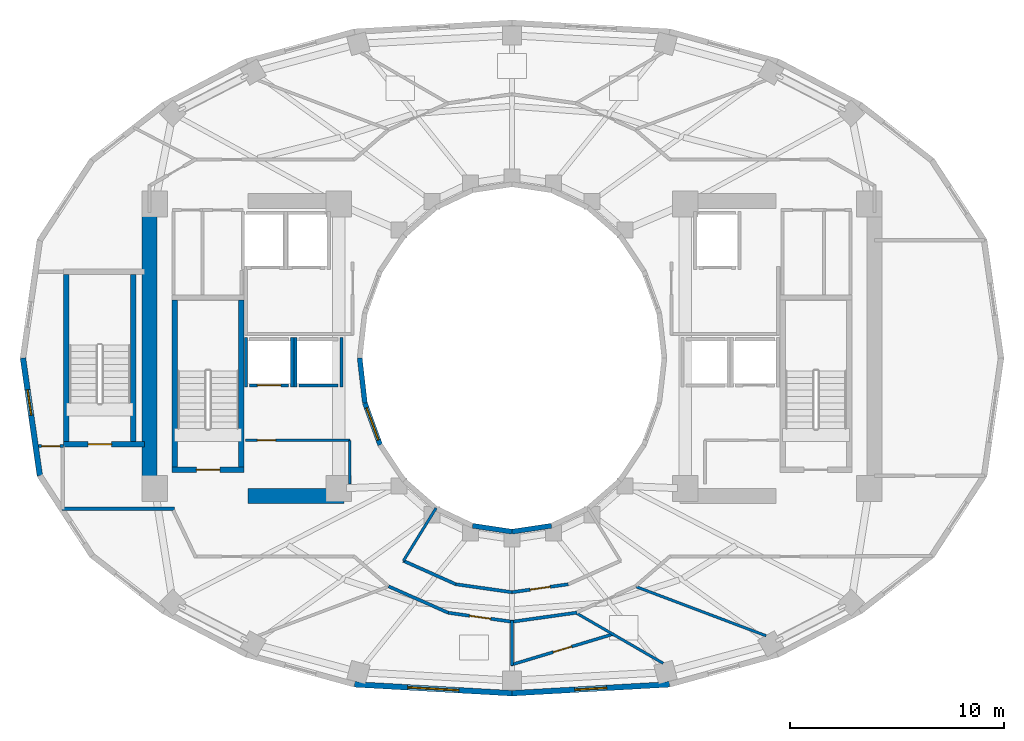
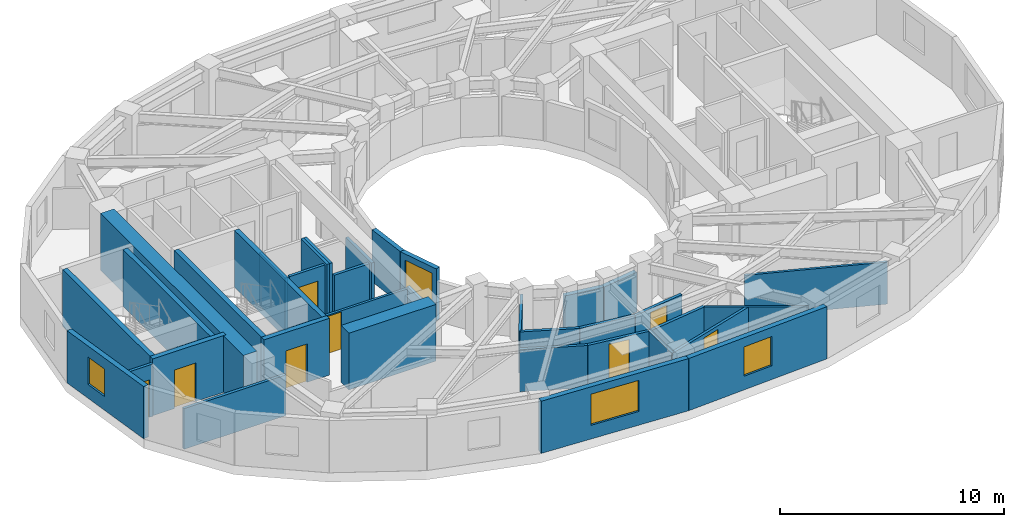
# One storey, part 3 of 9: 36 walls, 8 doors, 4 windows, 12 openings.
"""IFC4 building model written with IfcOpenShell, lengths in metres."""

from ifc_helpers import new_model, si_unit, direction, frame, frame_2d, origin, place, context, subcontext, project, spatial, rectangle, extrude, material, layer, layer_set, type_object, element, fill, save


model = new_model("IFC4")

# Units and contexts
model_context = context("Model", 3, precision=1e-05, world=origin(), true_north=direction((0.0, 1.0)))
body_context = subcontext(model_context, "Body", "Model", "MODEL_VIEW")
ifc_project = project(units=[si_unit("LENGTHUNIT", "METRE"), si_unit("AREAUNIT", "SQUARE_METRE"), si_unit("VOLUMEUNIT", "CUBIC_METRE"), si_unit("PLANEANGLEUNIT", "RADIAN"), si_unit("MASSUNIT", "GRAM", prefix="KILO")], contexts=[model_context])

# Site, building, storey
site_placement = place(None, origin())
site = spatial("IfcSite", under=ifc_project, at=site_placement, CompositionType="ELEMENT")
building_placement = place(site_placement, origin())
building = spatial("IfcBuilding", under=site, at=building_placement, Name="Solvane Sanctuary Tower", CompositionType="ELEMENT")
storey_placement = place(building_placement, frame((0.0, 0.0, 162.199951171875)))
storey = spatial("IfcBuildingStorey", under=building, at=storey_placement, Name="L49", CompositionType="ELEMENT", Elevation=162.199951171875)

# Walls
ifc_material_1 = material(Name="Concrete C60/75", Category="concrete")
ifc_layer_1 = layer(ifc_material_1, 0.699951171875, Name="Concrete C60/75")
ifc_layer_set_1 = layer_set([ifc_layer_1], Name="Concrete C60/75")
wall_type_1 = type_object("IfcWallType", Name="Wall W-CORE-700", PredefinedType="SHEAR", material=ifc_layer_set_1)
wall_1_placement = place(storey_placement, frame((15.050048828125, 17.050048828125, 0.0), z_axis=(0.0, 0.0, 1.0), x_axis=(0.0, 1.0, 0.0)))
element("IfcWall", 1, at=wall_1_placement, inside=storey, type_object=wall_type_1, Name="L49 Core Shear Wall WC-W", PredefinedType="SHEAR", context=body_context, shape_type="SweptSolid", body=[
    extrude(rectangle(XDim=12.800048828125, YDim=0.699951171875, at=frame_2d((6.39990234375, 0.0))), origin(), (0.0, 0.0, 1.0), 3.10009765625),
])
wall_2_placement = place(storey_placement, frame((19.64990234375, 16.550048828125, 0.0), z_axis=(0.0, 0.0, 1.0), x_axis=(1.0, 0.0, 0.0)))
element("IfcWall", 2, at=wall_2_placement, inside=storey, type_object=wall_type_1, Name="L49 Core Shear Wall WC-S", PredefinedType="SHEAR", context=body_context, shape_type="SweptSolid", body=[
    extrude(rectangle(XDim=4.5, YDim=0.699951171875, at=frame_2d((2.25, 0.0))), origin(), (0.0, 0.0, 1.0), 3.10009765625),
])

# Wall, opening, door
ifc_material_2 = material(Name="Acoustic Gypsum Partition Board")
ifc_layer_2 = layer(ifc_material_2, 0.14990234375, Name="Acoustic Gypsum Partition Board")
ifc_layer_set_2 = layer_set([ifc_layer_2], Name="Acoustic Gypsum Partition Board")
wall_type_2 = type_object("IfcWallType", Name="Wall W-CORR-150", PredefinedType="PARTITIONING", material=ifc_layer_set_2)
wall_3_placement = place(storey_placement, frame((9.869873046875, 18.8798828125, 0.0), z_axis=(0.0, 0.0, 1.0), x_axis=(1.0, 0.0, 0.0)))
wall_3 = element("IfcWall", 3, at=wall_3_placement, inside=storey, type_object=wall_type_2, Name="L49 SW Corner Closer 1", PredefinedType="PARTITIONING", context=body_context, shape_type="SweptSolid", body=[
    extrude(rectangle(XDim=1.170166015625, YDim=0.14990234375, at=frame_2d((0.5849609375, 0.0))), origin(), (0.0, 0.0, 1.0), 2.85498046875),
])
opening_1_placement = place(wall_3_placement, frame((0.139892578125, 0.0, 0.0)))
opening_1 = element("IfcOpeningElement", 4, at=opening_1_placement, cuts=wall_3, Name="Opening D-L49-16", PredefinedType="OPENING", context=body_context, shape_type="SweptSolid", body=[
    extrude(rectangle(XDim=0.85009765625, YDim=2.050048828125, at=frame_2d((0.425048828125, 1.02490234375))), frame((0.0, 0.0849609375, 0.0), z_axis=(0.0, -1.0, 0.0), x_axis=(1.0, 0.0, 0.0)), (0.0, 0.0, 1.0), 0.169921875),
])
ifc_material_3 = material(Name="Architectural Stainless Steel 316", Category="steel")
door_type_1 = type_object("IfcDoorType", Name="Door D-RISER", OperationType="NOTDEFINED", PredefinedType="DOOR", material=ifc_material_3)
door_1_placement = place(opening_1_placement, origin())
door_1 = element("IfcDoor", 5, at=door_1_placement, inside=storey, type_object=door_type_1, Name="L49 West Lookout Study Door", OperationType="SINGLE_SWING_LEFT", OverallHeight=2.050048828125, OverallWidth=0.85009765625, PredefinedType="DOOR", context=body_context, shape_type="SweptSolid", body=[
    extrude(rectangle(XDim=0.85009765625, YDim=2.050048828125, at=frame_2d((0.425048828125, 1.02490234375))), frame((0.0, 0.02490234375, 0.0), z_axis=(0.0, -1.0, 0.0), x_axis=(1.0, 0.0, 0.0)), (0.0, 0.0, 1.0), 0.050048828125),
])
fill(opening_1, door_1)

# Walls
wall_4_placement = place(storey_placement, frame((10.9599609375, 15.949951171875, 0.0), z_axis=(0.0, 0.0, 1.0), x_axis=(1.0, 0.0, 0.0)))
element("IfcWall", 6, at=wall_4_placement, inside=storey, type_object=wall_type_2, Name="L49 SW Corner Closer 3", PredefinedType="PARTITIONING", context=body_context, shape_type="SweptSolid", body=[
    extrude(rectangle(XDim=5.260009765625, YDim=0.14990234375, at=frame_2d((2.6298828125, 0.0))), origin(), (0.0, 0.0, 1.0), 2.219970703125),
])
wall_5_placement = place(storey_placement, frame((26.9189453125, 13.520751953125, 0.0), z_axis=(0.0, 0.0, 1.0), x_axis=(0.912888568324, -0.408208845842, 0.0)))
element("IfcWall", 7, at=wall_5_placement, inside=storey, type_object=wall_type_2, Name="L49 Inner Light-Well Corridor Wall S1", PredefinedType="PARTITIONING", context=body_context, shape_type="SweptSolid", body=[
    extrude(rectangle(XDim=2.690185546875, YDim=0.14990234375, at=frame_2d((1.34521484375, 0.0))), origin(), (0.0, 0.0, 1.0), 2.299072265625),
])
wall_6_placement = place(storey_placement, frame((29.371337890625, 12.423583984375, 0.0), z_axis=(0.0, 0.0, 1.0), x_axis=(0.990066775667, -0.1405979364, 0.0)))
element("IfcWall", 8, at=wall_6_placement, inside=storey, type_object=wall_type_2, Name="L49 Inner Light-Well Corridor Wall S1", PredefinedType="PARTITIONING", context=body_context, shape_type="SweptSolid", body=[
    extrude(rectangle(XDim=2.65673828125, YDim=0.14990234375, at=frame_2d((1.328369140625, 0.0))), origin(), (0.0, 0.0, 1.0), 2.299072265625),
])

# Wall, opening, door
wall_7_placement = place(storey_placement, frame((31.998291015625, 12.050048828125, 0.0), z_axis=(0.0, 0.0, 1.0), x_axis=(0.990066775667, 0.1405979364, 0.0)))
wall_7 = element("IfcWall", 9, at=wall_7_placement, inside=storey, type_object=wall_type_2, Name="L49 Inner Light-Well Corridor Wall S1", PredefinedType="PARTITIONING", context=body_context, shape_type="SweptSolid", body=[
    extrude(rectangle(XDim=2.65673828125, YDim=0.14990234375, at=frame_2d((1.328369140625, 0.0))), origin(), (0.0, 0.0, 1.0), 2.299072265625),
])
opening_2_placement = place(wall_7_placement, frame((0.853515625, 0.0, 0.0)))
opening_2 = element("IfcOpeningElement", 10, at=opening_2_placement, cuts=wall_7, Name="Opening D-L49-19", PredefinedType="OPENING", context=body_context, shape_type="SweptSolid", body=[
    extrude(rectangle(XDim=0.949951171875, YDim=2.10009765625, at=frame_2d((0.47509765625, 1.050048828125))), frame((0.0, 0.0849609375, 0.0), z_axis=(0.0, -1.0, 0.0), x_axis=(1.0, 0.0, 0.0)), (0.0, 0.0, 1.0), 0.169921875),
])
ifc_material_4 = material(Name="Engineered Tropical Hardwood", Category="wood")
door_type_2 = type_object("IfcDoorType", Name="Door D-ROOM-950", OperationType="NOTDEFINED", PredefinedType="DOOR", material=ifc_material_4)
door_2_placement = place(opening_2_placement, origin())
door_2 = element("IfcDoor", 11, at=door_2_placement, inside=storey, type_object=door_type_2, Name="L49 Inner Light-Well Salon Door S1", OperationType="SINGLE_SWING_RIGHT", OverallHeight=2.10009765625, OverallWidth=0.949951171875, PredefinedType="DOOR", context=body_context, shape_type="SweptSolid", body=[
    extrude(rectangle(XDim=0.949951171875, YDim=2.10009765625, at=frame_2d((0.47509765625, 1.050048828125))), frame((0.0, 0.02490234375, 0.0), z_axis=(0.0, -1.0, 0.0), x_axis=(1.0, 0.0, 0.0)), (0.0, 0.0, 1.0), 0.050048828125),
])
fill(opening_2, door_2)

# Walls
wall_8_placement = place(storey_placement, frame((31.950439453125, 10.6630859375, 0.0), z_axis=(0.0, 0.0, 1.0), x_axis=(0.990234434447, 0.139412211929, 0.0)))
element("IfcWall", 12, at=wall_8_placement, inside=storey, type_object=wall_type_2, Name="L49 En-suite Inner Wall S1", PredefinedType="PARTITIONING", context=body_context, shape_type="SweptSolid", body=[
    extrude(rectangle(XDim=3.11376953125, YDim=0.14990234375, at=frame_2d((1.556884765625, 0.0))), origin(), (0.0, 0.0, 1.0), 2.299072265625),
])
wall_9_placement = place(storey_placement, frame((26.22802734375, 12.326171875, 0.0), z_axis=(0.0, 0.0, 1.0), x_axis=(0.914324470734, -0.404982422108, 0.0)))
element("IfcWall", 13, at=wall_9_placement, inside=storey, type_object=wall_type_2, Name="L49 Unit Corridor Wall S1", PredefinedType="PARTITIONING", context=body_context, shape_type="SweptSolid", body=[
    extrude(rectangle(XDim=3.0576171875, YDim=0.14990234375, at=frame_2d((1.52880859375, 0.0))), origin(), (0.0, 0.0, 1.0), 2.299072265625),
])

# Wall, opening, door
wall_10_placement = place(storey_placement, frame((29.008056640625, 11.09228515625, 0.0), z_axis=(0.0, 0.0, 1.0), x_axis=(0.990234341072, -0.139412875167, 0.0)))
wall_10 = element("IfcWall", 14, at=wall_10_placement, inside=storey, type_object=wall_type_2, Name="L49 Unit Corridor Wall S1", PredefinedType="PARTITIONING", context=body_context, shape_type="SweptSolid", body=[
    extrude(rectangle(XDim=3.029541015625, YDim=0.14990234375, at=frame_2d((1.5146484375, 0.0))), origin(), (0.0, 0.0, 1.0), 2.299072265625),
])
opening_3_placement = place(wall_10_placement, frame((1.014892578125, 0.0, 0.0)))
opening_3 = element("IfcOpeningElement", 15, at=opening_3_placement, cuts=wall_10, Name="Opening D-L49-24", PredefinedType="OPENING", context=body_context, shape_type="SweptSolid", body=[
    extrude(rectangle(XDim=1.0, YDim=2.10009765625, at=frame_2d((0.5, 1.050048828125))), frame((0.0, 0.0849609375, 0.0), z_axis=(0.0, -1.0, 0.0), x_axis=(1.0, 0.0, 0.0)), (0.0, 0.0, 1.0), 0.169921875),
])
door_type_3 = type_object("IfcDoorType", Name="Door D-UNIT", OperationType="NOTDEFINED", PredefinedType="DOOR", material=ifc_material_4)
door_3_placement = place(opening_3_placement, origin())
door_3 = element("IfcDoor", 16, at=door_3_placement, inside=storey, type_object=door_type_3, Name="L49 Unit Entrance Door S1", OperationType="SINGLE_SWING_LEFT", OverallHeight=2.10009765625, OverallWidth=1.0, PredefinedType="DOOR", context=body_context, shape_type="SweptSolid", body=[
    extrude(rectangle(XDim=1.0, YDim=2.10009765625, at=frame_2d((0.5, 1.050048828125))), frame((0.0, 0.02490234375, 0.0), z_axis=(0.0, -1.0, 0.0), x_axis=(1.0, 0.0, 0.0)), (0.0, 0.0, 1.0), 0.050048828125),
])
fill(opening_3, door_3)

# Wall, opening, window
ifc_material_5 = material(Name="Precast concrete C40/50", Category="concrete")
ifc_layer_3 = layer(ifc_material_5, 0.260009765625, Name="Precast concrete C40/50")
ifc_layer_set_3 = layer_set([ifc_layer_3], Name="Precast concrete C40/50")
wall_type_3 = type_object("IfcWallType", Name="Wall W-EXT-250", PredefinedType="STANDARD", material=ifc_layer_set_3)
wall_11_placement = place(storey_placement, frame((9.139892578125, 23.0, 0.0), z_axis=(0.0, 0.0, 1.0), x_axis=(0.142227632286, -0.989833976288, 0.0)))
wall_11 = element("IfcWall", 17, at=wall_11_placement, inside=storey, type_object=wall_type_3, Name="L49 Ceramic-Printed Facade Wall 12", PredefinedType="STANDARD", context=body_context, shape_type="SweptSolid", body=[
    extrude(rectangle(XDim=5.552978515625, YDim=0.260009765625, at=frame_2d((2.7763671875, 0.0))), origin(), (0.0, 0.0, 1.0), 2.85009765625),
])
opening_4_placement = place(wall_11_placement, frame((1.506103515625, 0.0, 0.75)))
opening_4 = element("IfcOpeningElement", 18, at=opening_4_placement, cuts=wall_11, Name="Opening WN-OPER-1200", PredefinedType="OPENING", context=body_context, shape_type="SweptSolid", body=[
    extrude(rectangle(XDim=1.199951171875, YDim=1.5, at=frame_2d((0.60009765625, 0.75))), frame((0.0, 0.139892578125, 0.0), z_axis=(0.0, -1.0, 0.0), x_axis=(1.0, 0.0, 0.0)), (0.0, 0.0, 1.0), 0.280029296875),
])
ifc_material_6 = material(Name="Dark Ceramic-Fritted Low-E Glass", Category="glass")
window_type_1 = type_object("IfcWindowType", Name="Window WN-OPER-1200", PartitioningType="SINGLE_PANEL", PredefinedType="WINDOW", material=ifc_material_6)
window_1_placement = place(opening_4_placement, origin())
window_1 = element("IfcWindow", 19, at=window_1_placement, inside=storey, type_object=window_type_1, Name="L49 Operable Facade Window 12", OverallHeight=1.5, OverallWidth=1.199951171875, PartitioningType="SINGLE_PANEL", PredefinedType="WINDOW", context=body_context, shape_type="SweptSolid", body=[
    extrude(rectangle(XDim=1.199951171875, YDim=1.5, at=frame_2d((0.60009765625, 0.75))), frame((0.0, 0.030029296875, 0.0), z_axis=(0.0, -1.0, 0.0), x_axis=(1.0, 0.0, 0.0)), (0.0, 0.0, 1.0), 0.06005859375),
])
fill(opening_4, window_1)

wall_12_placement = place(storey_placement, frame((24.634765625, 7.743408203125, 0.0), z_axis=(0.0, 0.0, 1.0), x_axis=(0.998417906562, -0.056228852534, 0.0)))
wall_12 = element("IfcWall", 20, at=wall_12_placement, inside=storey, type_object=wall_type_3, Name="L49 Ceramic-Printed Facade Wall 17", PredefinedType="STANDARD", context=body_context, shape_type="SweptSolid", body=[
    extrude(rectangle(XDim=7.376953125, YDim=0.260009765625, at=frame_2d((3.6884765625, 0.0))), origin(), (0.0, 0.0, 1.0), 2.85009765625),
])
opening_5_placement = place(wall_12_placement, frame((2.48828125, 0.0, 0.75)))
opening_5 = element("IfcOpeningElement", 21, at=opening_5_placement, cuts=wall_12, Name="Opening WN-RIB-2400", PredefinedType="OPENING", context=body_context, shape_type="SweptSolid", body=[
    extrude(rectangle(XDim=2.39990234375, YDim=1.699951171875, at=frame_2d((1.199951171875, 0.85009765625))), frame((0.0, 0.139892578125, 0.0), z_axis=(0.0, -1.0, 0.0), x_axis=(1.0, 0.0, 0.0)), (0.0, 0.0, 1.0), 0.280029296875),
])
window_type_2 = type_object("IfcWindowType", Name="Window WN-RIB-2400", PartitioningType="SINGLE_PANEL", PredefinedType="WINDOW", material=ifc_material_6)
window_2_placement = place(opening_5_placement, origin())
window_2 = element("IfcWindow", 22, at=window_2_placement, inside=storey, type_object=window_type_2, Name="L49 Operable Facade Window 17", OverallHeight=1.699951171875, OverallWidth=2.39990234375, PartitioningType="SINGLE_PANEL", PredefinedType="WINDOW", context=body_context, shape_type="SweptSolid", body=[
    extrude(rectangle(XDim=2.39990234375, YDim=1.699951171875, at=frame_2d((1.199951171875, 0.85009765625))), frame((0.0, 0.030029296875, 0.0), z_axis=(0.0, -1.0, 0.0), x_axis=(1.0, 0.0, 0.0)), (0.0, 0.0, 1.0), 0.06005859375),
])
fill(opening_5, window_2)

wall_13_placement = place(storey_placement, frame((32.0, 7.32861328125, 0.0), z_axis=(0.0, 0.0, 1.0), x_axis=(0.998417906562, 0.056228852534, 0.0)))
wall_13 = element("IfcWall", 23, at=wall_13_placement, inside=storey, type_object=wall_type_3, Name="L49 Ceramic-Printed Facade Wall 18", PredefinedType="STANDARD", context=body_context, shape_type="SweptSolid", body=[
    extrude(rectangle(XDim=7.376953125, YDim=0.260009765625, at=frame_2d((3.6884765625, 0.0))), origin(), (0.0, 0.0, 1.0), 2.85009765625),
])
opening_6_placement = place(wall_13_placement, frame((2.9384765625, 0.0, 0.75)))
opening_6 = element("IfcOpeningElement", 24, at=opening_6_placement, cuts=wall_13, Name="Opening WN-OPER-1500", PredefinedType="OPENING", context=body_context, shape_type="SweptSolid", body=[
    extrude(rectangle(XDim=1.5, YDim=1.60009765625, at=frame_2d((0.75, 0.800048828125))), frame((0.0, 0.139892578125, 0.0), z_axis=(0.0, -1.0, 0.0), x_axis=(1.0, 0.0, 0.0)), (0.0, 0.0, 1.0), 0.280029296875),
])
window_type_3 = type_object("IfcWindowType", Name="Window WN-OPER-1500", PartitioningType="SINGLE_PANEL", PredefinedType="WINDOW", material=ifc_material_6)
window_3_placement = place(opening_6_placement, origin())
window_3 = element("IfcWindow", 25, at=window_3_placement, inside=storey, type_object=window_type_3, Name="L49 Operable Facade Window 18", OverallHeight=1.60009765625, OverallWidth=1.5, PartitioningType="SINGLE_PANEL", PredefinedType="WINDOW", context=body_context, shape_type="SweptSolid", body=[
    extrude(rectangle(XDim=1.5, YDim=1.60009765625, at=frame_2d((0.75, 0.800048828125))), frame((0.0, 0.030029296875, 0.0), z_axis=(0.0, -1.0, 0.0), x_axis=(1.0, 0.0, 0.0)), (0.0, 0.0, 1.0), 0.06005859375),
])
fill(opening_6, window_3)

# Wall
ifc_layer_4 = layer(ifc_material_5, 0.22998046875, Name="Precast concrete C40/50")
ifc_layer_set_4 = layer_set([ifc_layer_4], Name="Precast concrete C40/50")
wall_type_4 = type_object("IfcWallType", Name="Wall W-EXT-SP220", PredefinedType="STANDARD", material=ifc_layer_set_4)
wall_14_placement = place(storey_placement, frame((24.8798828125, 23.0, 0.0), z_axis=(0.0, 0.0, 1.0), x_axis=(0.114711713601, -0.993398823617, 0.0)))
element("IfcWall", 26, at=wall_14_placement, inside=storey, type_object=wall_type_4, Name="L49 Central Light-Well Wall 12", PredefinedType="STANDARD", context=body_context, shape_type="SweptSolid", body=[
    extrude(rectangle(XDim=2.115478515625, YDim=0.22998046875, at=frame_2d((1.0576171875, 0.0))), origin(), (0.0, 0.0, 1.0), 2.840087890625),
])

# Wall, opening, window
wall_15_placement = place(storey_placement, frame((25.12255859375, 20.8984375, 0.0), z_axis=(0.0, 0.0, 1.0), x_axis=(0.341423187295, -0.93990968033, 0.0)))
wall_15 = element("IfcWall", 27, at=wall_15_placement, inside=storey, type_object=wall_type_4, Name="L49 Central Light-Well Wall 13", PredefinedType="STANDARD", context=body_context, shape_type="SweptSolid", body=[
    extrude(rectangle(XDim=2.083740234375, YDim=0.22998046875, at=frame_2d((1.0419921875, 0.0))), origin(), (0.0, 0.0, 1.0), 2.840087890625),
])
opening_7_placement = place(wall_15_placement, frame((0.24169921875, 0.0, 0.85009765625)))
opening_7 = element("IfcOpeningElement", 28, at=opening_7_placement, cuts=wall_15, Name="Opening WN-WELL-1600", PredefinedType="OPENING", context=body_context, shape_type="SweptSolid", body=[
    extrude(rectangle(XDim=1.60009765625, YDim=1.64990234375, at=frame_2d((0.800048828125, 0.824951171875))), frame((0.0, 0.125, 0.0), z_axis=(0.0, -1.0, 0.0), x_axis=(1.0, 0.0, 0.0)), (0.0, 0.0, 1.0), 0.25),
])
ifc_material_7 = material(Name="Clear Laminated Light-Well Glass", Category="glass")
window_type_4 = type_object("IfcWindowType", Name="Window WN-WELL-1600", PartitioningType="SINGLE_PANEL", PredefinedType="WINDOW", material=ifc_material_7)
window_4_placement = place(opening_7_placement, origin())
window_4 = element("IfcWindow", 29, at=window_4_placement, inside=storey, type_object=window_type_4, Name="L49 Light-Well Daylight Window 13", OverallHeight=1.64990234375, OverallWidth=1.60009765625, PartitioningType="SINGLE_PANEL", PredefinedType="WINDOW", context=body_context, shape_type="SweptSolid", body=[
    extrude(rectangle(XDim=1.60009765625, YDim=1.64990234375, at=frame_2d((0.800048828125, 0.824951171875))), frame((0.0, 0.030029296875, 0.0), z_axis=(0.0, -1.0, 0.0), x_axis=(1.0, 0.0, 0.0)), (0.0, 0.0, 1.0), 0.06005859375),
])
fill(opening_7, window_4)

# Walls
for number, where, z_axis, x_axis, name in (
    (30, (30.1572265625, 15.15673828125, 0.0), (0.0, 0.0, 1.0), (0.988901730308, -0.148571086668, 0.0), "L49 Central Light-Well Wall 17"),
    (31, (32.0, 14.8798828125, 0.0), (0.0, 0.0, 1.0), (0.988901730308, 0.148571086668, 0.0), "L49 Central Light-Well Wall 18"),
):
    element("IfcWall", number, at=place(storey_placement, frame(where, z_axis=z_axis, x_axis=x_axis)), inside=storey, type_object=wall_type_4, Name=name, PredefinedType="STANDARD", context=body_context, shape_type="SweptSolid", body=[
        extrude(rectangle(XDim=1.863525390625, YDim=0.22998046875, at=frame_2d((0.931640625, 0.0))), origin(), (0.0, 0.0, 1.0), 2.16015625),
    ])

# Wall, opening, door
ifc_layer_5 = layer(ifc_material_2, 0.125, Name="Acoustic Gypsum Partition Board")
ifc_layer_set_5 = layer_set([ifc_layer_5], Name="Acoustic Gypsum Partition Board")
wall_type_5 = type_object("IfcWallType", Name="Wall W-PART-125", PredefinedType="PARTITIONING", material=ifc_layer_set_5)
wall_16_placement = place(storey_placement, frame((19.550048828125, 19.159912109375, 0.0), z_axis=(0.0, 0.0, 1.0), x_axis=(1.0, 0.0, 0.0)))
wall_16 = element("IfcWall", 32, at=wall_16_placement, inside=storey, type_object=wall_type_5, Name="L49 Reclaimed Room Partition PLW", PredefinedType="PARTITIONING", context=body_context, shape_type="SweptSolid", body=[
    extrude(rectangle(XDim=4.869873046875, YDim=0.125, at=frame_2d((2.43505859375, 0.0))), origin(), (0.0, 0.0, 1.0), 2.1201171875),
])
opening_8_placement = place(wall_16_placement, frame((0.550048828125, 0.0, 0.0)))
opening_8 = element("IfcOpeningElement", 33, at=opening_8_placement, cuts=wall_16, Name="Opening D-L49-06", PredefinedType="OPENING", context=body_context, shape_type="SweptSolid", body=[
    extrude(rectangle(XDim=0.85009765625, YDim=2.050048828125, at=frame_2d((0.425048828125, 1.02490234375))), frame((0.0, 0.072509765625, 0.0), z_axis=(0.0, -1.0, 0.0), x_axis=(1.0, 0.0, 0.0)), (0.0, 0.0, 1.0), 0.14501953125),
])
door_4_placement = place(opening_8_placement, origin())
door_4 = element("IfcDoor", 34, at=door_4_placement, inside=storey, type_object=door_type_1, Name="L49 Reclaimed Room Door PLW-1", OperationType="SINGLE_SWING_LEFT", OverallHeight=2.050048828125, OverallWidth=0.85009765625, PredefinedType="DOOR", context=body_context, shape_type="SweptSolid", body=[
    extrude(rectangle(XDim=0.85009765625, YDim=2.050048828125, at=frame_2d((0.425048828125, 1.02490234375))), frame((0.0, 0.02490234375, 0.0), z_axis=(0.0, -1.0, 0.0), x_axis=(1.0, 0.0, 0.0)), (0.0, 0.0, 1.0), 0.050048828125),
])
fill(opening_8, door_4)

# Walls
wall_17_placement = place(storey_placement, frame((24.419921875, 17.10009765625, 0.0), z_axis=(0.0, 0.0, 1.0), x_axis=(0.0, 1.0, 0.0)))
element("IfcWall", 35, at=wall_17_placement, inside=storey, type_object=wall_type_5, Name="L49 Reclaimed Room Closer Wall PLW-1", PredefinedType="PARTITIONING", context=body_context, shape_type="SweptSolid", body=[
    extrude(rectangle(XDim=2.039794921875, YDim=0.125, at=frame_2d((1.02001953125, 0.0))), origin(), (0.0, 0.0, 1.0), 2.23193359375),
])
wall_18_placement = place(storey_placement, frame((28.449951171875, 15.985107421875, 0.0), z_axis=(0.0, 0.0, 1.0), x_axis=(-0.525627246902, -0.850714991824, 0.0)))
element("IfcWall", 36, at=wall_18_placement, inside=storey, type_object=wall_type_5, Name="L49 Inner Light-Well Radial Wall 240", PredefinedType="PARTITIONING", context=body_context, shape_type="SweptSolid", body=[
    extrude(rectangle(XDim=2.901123046875, YDim=0.125, at=frame_2d((1.45068359375, 0.0))), origin(), (0.0, 0.0, 1.0), 2.299072265625),
])
wall_19_placement = place(storey_placement, frame((35.03173828125, 11.0625, 0.0), z_axis=(0.0, 0.0, 1.0), x_axis=(0.865627016774, -0.500689392568, 0.0)))
element("IfcWall", 37, at=wall_19_placement, inside=storey, type_object=wall_type_5, Name="L49 Radial Compartment Wall 285", PredefinedType="PARTITIONING", context=body_context, shape_type="SweptSolid", body=[
    extrude(rectangle(XDim=4.66162109375, YDim=0.125, at=frame_2d((2.330810546875, 0.0))), origin(), (0.0, 0.0, 1.0), 2.299072265625),
])
wall_20_placement = place(storey_placement, frame((37.81640625, 12.302490234375, 0.0), z_axis=(0.0, 0.0, 1.0), x_axis=(0.935601484289, -0.353057874288, 0.0)))
element("IfcWall", 38, at=wall_20_placement, inside=storey, type_object=wall_type_5, Name="L49 Radial Compartment Wall 300", PredefinedType="PARTITIONING", context=body_context, shape_type="SweptSolid", body=[
    extrude(rectangle(XDim=6.484130859375, YDim=0.125, at=frame_2d((3.2421875, 0.0))), origin(), (0.0, 0.0, 1.0), 2.299072265625),
])

# Wall, opening, door
ifc_material_8 = material(Name="Concrete C50/60", Category="concrete")
ifc_layer_6 = layer(ifc_material_8, 0.14990234375, Name="Concrete C50/60")
ifc_layer_set_6 = layer_set([ifc_layer_6], Name="Concrete C50/60")
wall_type_6 = type_object("IfcWallType", Name="Wall W-SHAFT-150", PredefinedType="SOLIDWALL", material=ifc_layer_set_6)
wall_21_placement = place(storey_placement, frame((19.739990234375, 21.719970703125, 0.0), z_axis=(0.0, 0.0, 1.0), x_axis=(1.0, 0.0, 0.0)))
wall_21 = element("IfcWall", 39, at=wall_21_placement, inside=storey, type_object=wall_type_6, Name="L49 PM-1 Lift Shaft Wall F", PredefinedType="SOLIDWALL", context=body_context, shape_type="SweptSolid", body=[
    extrude(rectangle(XDim=1.820068359375, YDim=0.14990234375, at=frame_2d((0.91015625, 0.0))), origin(), (0.0, 0.0, 1.0), 2.85498046875),
])
opening_9_placement = place(wall_21_placement, frame((0.360107421875, 0.0, 0.0)))
opening_9 = element("IfcOpeningElement", 40, at=opening_9_placement, cuts=wall_21, Name="Opening LD-L49-01", PredefinedType="OPENING", context=body_context, shape_type="SweptSolid", body=[
    extrude(rectangle(XDim=1.10009765625, YDim=2.10009765625, at=frame_2d((0.550048828125, 1.050048828125))), frame((0.0, 0.0849609375, 0.0), z_axis=(0.0, -1.0, 0.0), x_axis=(1.0, 0.0, 0.0)), (0.0, 0.0, 1.0), 0.169921875),
])
door_type_4 = type_object("IfcDoorType", Name="Door LD-PASS-1100", OperationType="NOTDEFINED", PredefinedType="DOOR", material=ifc_material_3)
door_5_placement = place(opening_9_placement, origin())
door_5 = element("IfcDoor", 41, at=door_5_placement, inside=storey, type_object=door_type_4, Name="L49 PM-1 Lift Landing Door", OperationType="DOUBLE_DOOR_SLIDING", OverallHeight=2.10009765625, OverallWidth=1.10009765625, PredefinedType="DOOR", context=body_context, shape_type="SweptSolid", body=[
    extrude(rectangle(XDim=1.10009765625, YDim=2.10009765625, at=frame_2d((0.550048828125, 1.050048828125))), frame((0.0, 0.02490234375, 0.0), z_axis=(0.0, -1.0, 0.0), x_axis=(1.0, 0.0, 0.0)), (0.0, 0.0, 1.0), 0.050048828125),
])
fill(opening_9, door_5)

# Walls
for number, where, z_axis, x_axis, name in (
    (42, (19.570068359375, 21.639892578125, 0.0), (0.0, 0.0, 1.0), (0.0, 1.0, 0.0), "L49 PM-1 Lift Shaft Wall S1"),
    (43, (21.72998046875, 21.639892578125, 0.0), (0.0, 0.0, 1.0), (0.0, 1.0, 0.0), "L49 PM-1 Lift Shaft Wall S2"),
):
    element("IfcWall", number, at=place(storey_placement, frame(where, z_axis=z_axis, x_axis=x_axis)), inside=storey, type_object=wall_type_6, Name=name, PredefinedType="SOLIDWALL", context=body_context, shape_type="SweptSolid", body=[
        extrude(rectangle(XDim=2.320068359375, YDim=0.14990234375, at=frame_2d((1.16015625, 0.0))), origin(), (0.0, 0.0, 1.0), 2.85498046875),
    ])
wall_22_placement = place(storey_placement, frame((22.0400390625, 21.719970703125, 0.0), z_axis=(0.0, 0.0, 1.0), x_axis=(1.0, 0.0, 0.0)))
element("IfcWall", 44, at=wall_22_placement, inside=storey, type_object=wall_type_6, Name="L49 PH-1 Lift Shaft Wall F", PredefinedType="SOLIDWALL", context=body_context, shape_type="SweptSolid", body=[
    extrude(rectangle(XDim=1.820068359375, YDim=0.14990234375, at=frame_2d((0.91015625, 0.0))), origin(), (0.0, 0.0, 1.0), 2.1201171875),
])
wall_23_placement = place(storey_placement, frame((21.8701171875, 21.639892578125, 0.0), z_axis=(0.0, 0.0, 1.0), x_axis=(0.0, 1.0, 0.0)))
element("IfcWall", 45, at=wall_23_placement, inside=storey, type_object=wall_type_6, Name="L49 PH-1 Lift Shaft Wall S1", PredefinedType="SOLIDWALL", context=body_context, shape_type="SweptSolid", body=[
    extrude(rectangle(XDim=2.320068359375, YDim=0.14990234375, at=frame_2d((1.16015625, 0.0))), origin(), (0.0, 0.0, 1.0), 2.85498046875),
])
wall_24_placement = place(storey_placement, frame((24.030029296875, 21.639892578125, 0.0), z_axis=(0.0, 0.0, 1.0), x_axis=(0.0, 1.0, 0.0)))
element("IfcWall", 46, at=wall_24_placement, inside=storey, type_object=wall_type_6, Name="L49 PH-1 Lift Shaft Wall S2", PredefinedType="SOLIDWALL", context=body_context, shape_type="SweptSolid", body=[
    extrude(rectangle(XDim=2.320068359375, YDim=0.14990234375, at=frame_2d((1.16015625, 0.0))), origin(), (0.0, 0.0, 1.0), 2.1201171875),
])

# Wall, opening, door
ifc_layer_7 = layer(ifc_material_8, 0.25, Name="Concrete C50/60")
ifc_layer_set_7 = layer_set([ifc_layer_7], Name="Concrete C50/60")
wall_type_7 = type_object("IfcWallType", Name="Wall W-SHAFT-250", PredefinedType="SOLIDWALL", material=ifc_layer_set_7)
wall_25_placement = place(storey_placement, frame((16.10498046875, 17.77001953125, 0.0), z_axis=(0.0, 0.0, 1.0), x_axis=(1.0, 0.0, 0.0)))
wall_25 = element("IfcWall", 47, at=wall_25_placement, inside=storey, type_object=wall_type_7, Name="L49 ST-1 Load-Bearing Shaft Wall S", PredefinedType="SOLIDWALL", context=body_context, shape_type="SweptSolid", body=[
    extrude(rectangle(XDim=3.3701171875, YDim=0.25, at=frame_2d((1.68505859375, 0.0))), origin(), (0.0, 0.0, 1.0), 3.10009765625),
])
opening_10_placement = place(wall_25_placement, frame((1.135009765625, 0.0, 0.0)))
opening_10 = element("IfcOpeningElement", 48, at=opening_10_placement, cuts=wall_25, Name="Opening D-L49-01", PredefinedType="OPENING", context=body_context, shape_type="SweptSolid", body=[
    extrude(rectangle(XDim=1.10009765625, YDim=2.10009765625, at=frame_2d((0.550048828125, 1.050048828125))), frame((0.0, 0.135009765625, 0.0), z_axis=(0.0, -1.0, 0.0), x_axis=(1.0, 0.0, 0.0)), (0.0, 0.0, 1.0), 0.27001953125),
])
door_type_5 = type_object("IfcDoorType", Name="Door D-STAIR", OperationType="NOTDEFINED", PredefinedType="DOOR", material=ifc_material_3)
door_6_placement = place(opening_10_placement, origin())
door_6 = element("IfcDoor", 49, at=door_6_placement, inside=storey, type_object=door_type_5, Name="L49 ST-1 Exit Stair Fire Door", OperationType="SINGLE_SWING_LEFT", OverallHeight=2.10009765625, OverallWidth=1.10009765625, PredefinedType="DOOR", context=body_context, shape_type="SweptSolid", body=[
    extrude(rectangle(XDim=1.10009765625, YDim=2.10009765625, at=frame_2d((0.550048828125, 1.050048828125))), frame((0.0, 0.02490234375, 0.0), z_axis=(0.0, -1.0, 0.0), x_axis=(1.0, 0.0, 0.0)), (0.0, 0.0, 1.0), 0.050048828125),
])
fill(opening_10, door_6)

# Walls
for number, where, z_axis, x_axis, name in (
    (50, (16.22998046875, 17.89501953125, 0.0), (0.0, 0.0, 1.0), (0.0, 1.0, 0.0), "L49 ST-1 Load-Bearing Shaft Wall W"),
    (51, (19.35009765625, 17.89501953125, 0.0), (0.0, 0.0, 1.0), (0.0, 1.0, 0.0), "L49 ST-1 Load-Bearing Shaft Wall E"),
):
    element("IfcWall", number, at=place(storey_placement, frame(where, z_axis=z_axis, x_axis=x_axis)), inside=storey, type_object=wall_type_7, Name=name, PredefinedType="SOLIDWALL", context=body_context, shape_type="SweptSolid", body=[
        extrude(rectangle(XDim=7.81005859375, YDim=0.25, at=frame_2d((3.905029296875, 0.0))), origin(), (0.0, 0.0, 1.0), 3.10009765625),
    ])

# Wall, opening, door
wall_26_placement = place(storey_placement, frame((11.044921875, 18.969970703125, 0.0), z_axis=(0.0, 0.0, 1.0), x_axis=(1.0, 0.0, 0.0)))
wall_26 = element("IfcWall", 52, at=wall_26_placement, inside=storey, type_object=wall_type_7, Name="L49 ST-3 Load-Bearing Shaft Wall S", PredefinedType="SOLIDWALL", context=body_context, shape_type="SweptSolid", body=[
    extrude(rectangle(XDim=3.781982421875, YDim=0.25, at=frame_2d((1.89111328125, 0.0))), origin(), (0.0, 0.0, 1.0), 3.10009765625),
])
opening_11_placement = place(wall_26_placement, frame((1.135009765625, 0.0, 0.0)))
opening_11 = element("IfcOpeningElement", 53, at=opening_11_placement, cuts=wall_26, Name="Opening D-L49-03", PredefinedType="OPENING", context=body_context, shape_type="SweptSolid", body=[
    extrude(rectangle(XDim=1.10009765625, YDim=2.10009765625, at=frame_2d((0.550048828125, 1.050048828125))), frame((0.0, 0.135009765625, 0.0), z_axis=(0.0, -1.0, 0.0), x_axis=(1.0, 0.0, 0.0)), (0.0, 0.0, 1.0), 0.27001953125),
])
door_7_placement = place(opening_11_placement, origin())
door_7 = element("IfcDoor", 54, at=door_7_placement, inside=storey, type_object=door_type_5, Name="L49 ST-3 Exit Stair Fire Door", OperationType="SINGLE_SWING_LEFT", OverallHeight=2.10009765625, OverallWidth=1.10009765625, PredefinedType="DOOR", context=body_context, shape_type="SweptSolid", body=[
    extrude(rectangle(XDim=1.10009765625, YDim=2.10009765625, at=frame_2d((0.550048828125, 1.050048828125))), frame((0.0, 0.02490234375, 0.0), z_axis=(0.0, -1.0, 0.0), x_axis=(1.0, 0.0, 0.0)), (0.0, 0.0, 1.0), 0.050048828125),
])
fill(opening_11, door_7)

# Walls
for number, where, z_axis, x_axis, name in (
    (55, (11.169921875, 19.094970703125, 0.0), (0.0, 0.0, 1.0), (0.0, 1.0, 0.0), "L49 ST-3 Load-Bearing Shaft Wall W"),
    (56, (14.2900390625, 19.094970703125, 0.0), (0.0, 0.0, 1.0), (0.0, 1.0, 0.0), "L49 ST-3 Load-Bearing Shaft Wall E"),
):
    element("IfcWall", number, at=place(storey_placement, frame(where, z_axis=z_axis, x_axis=x_axis)), inside=storey, type_object=wall_type_7, Name=name, PredefinedType="SOLIDWALL", context=body_context, shape_type="SweptSolid", body=[
        extrude(rectangle(XDim=7.81005859375, YDim=0.25, at=frame_2d((3.905029296875, 0.0))), origin(), (0.0, 0.0, 1.0), 3.10009765625),
    ])
ifc_layer_8 = layer(ifc_material_2, 0.139892578125, Name="Acoustic Gypsum Partition Board")
ifc_layer_set_8 = layer_set([ifc_layer_8], Name="Acoustic Gypsum Partition Board")
wall_type_8 = type_object("IfcWallType", Name="Wall W-WET-140", PredefinedType="PLUMBINGWALL", material=ifc_layer_set_8)
wall_27_placement = place(storey_placement, frame((32.0, 10.719970703125, 0.0), z_axis=(0.0, 0.0, 1.0), x_axis=(0.0, -1.0, 0.0)))
element("IfcWall", 57, at=wall_27_placement, inside=storey, type_object=wall_type_8, Name="L49 En-suite Side Partition S1", PredefinedType="PLUMBINGWALL", context=body_context, shape_type="SweptSolid", body=[
    extrude(rectangle(XDim=2.099853515625, YDim=0.139892578125, at=frame_2d((1.0498046875, 0.0))), origin(), (0.0, 0.0, 1.0), 2.299072265625),
])

# Wall, opening, door
wall_28_placement = place(storey_placement, frame((31.9521484375, 8.655517578125, 0.0), z_axis=(0.0, 0.0, 1.0), x_axis=(0.957599969859, 0.28810119355, 0.0)))
wall_28 = element("IfcWall", 58, at=wall_28_placement, inside=storey, type_object=wall_type_8, Name="L49 En-suite Bedroom Wall S1", PredefinedType="PLUMBINGWALL", context=body_context, shape_type="SweptSolid", body=[
    extrude(rectangle(XDim=5.0244140625, YDim=0.139892578125, at=frame_2d((2.51220703125, 0.0))), origin(), (0.0, 0.0, 1.0), 2.299072265625),
])
opening_12_placement = place(wall_28_placement, frame((2.062255859375, 0.0, 0.0)))
opening_12 = element("IfcOpeningElement", 59, at=opening_12_placement, cuts=wall_28, Name="Opening D-L49-23", PredefinedType="OPENING", context=body_context, shape_type="SweptSolid", body=[
    extrude(rectangle(XDim=0.89990234375, YDim=2.10009765625, at=frame_2d((0.449951171875, 1.050048828125))), frame((0.0, 0.079833984375, 0.0), z_axis=(0.0, -1.0, 0.0), x_axis=(1.0, 0.0, 0.0)), (0.0, 0.0, 1.0), 0.159912109375),
])
door_type_6 = type_object("IfcDoorType", Name="Door D-WET-900", OperationType="NOTDEFINED", PredefinedType="DOOR", material=ifc_material_4)
door_8_placement = place(opening_12_placement, origin())
door_8 = element("IfcDoor", 60, at=door_8_placement, inside=storey, type_object=door_type_6, Name="L49 En-suite Bathroom Door S1", OperationType="SINGLE_SWING_RIGHT", OverallHeight=2.10009765625, OverallWidth=0.89990234375, PredefinedType="DOOR", context=body_context, shape_type="SweptSolid", body=[
    extrude(rectangle(XDim=0.89990234375, YDim=2.10009765625, at=frame_2d((0.449951171875, 1.050048828125))), frame((0.0, 0.02490234375, 0.0), z_axis=(0.0, -1.0, 0.0), x_axis=(1.0, 0.0, 0.0)), (0.0, 0.0, 1.0), 0.050048828125),
])
fill(opening_12, door_8)

save(model, "model.ifc")
